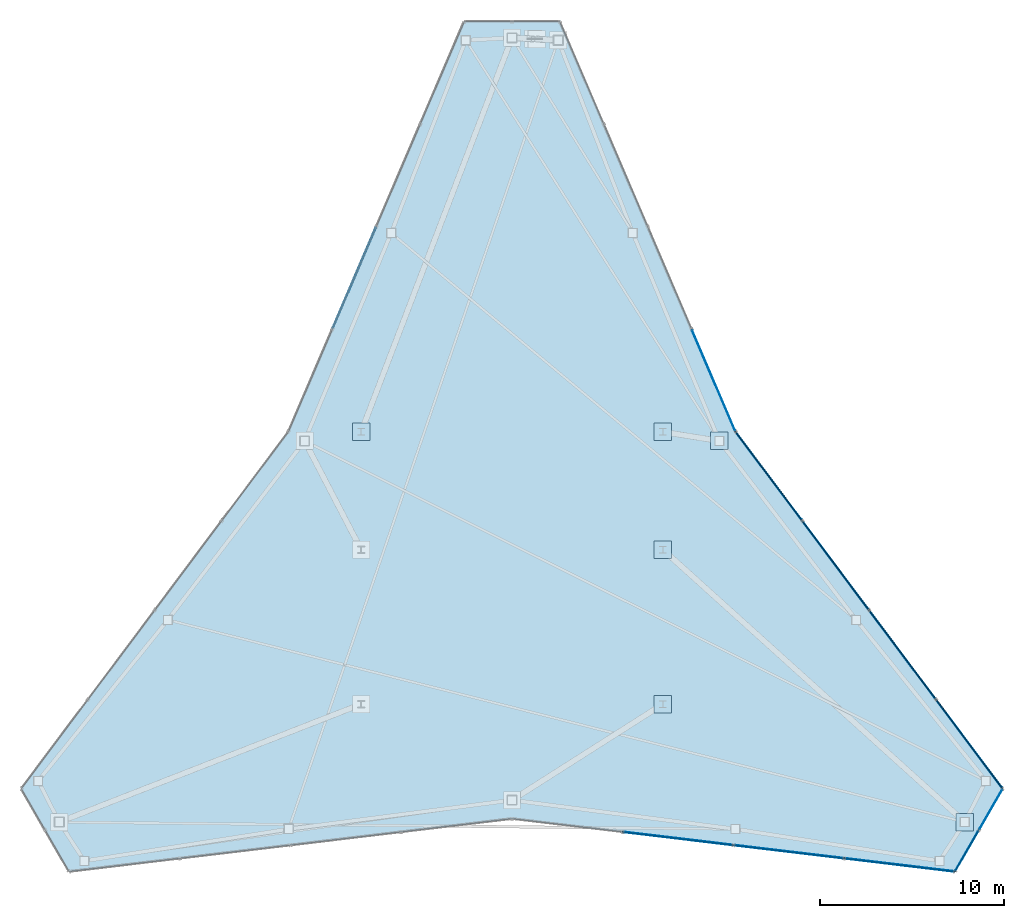
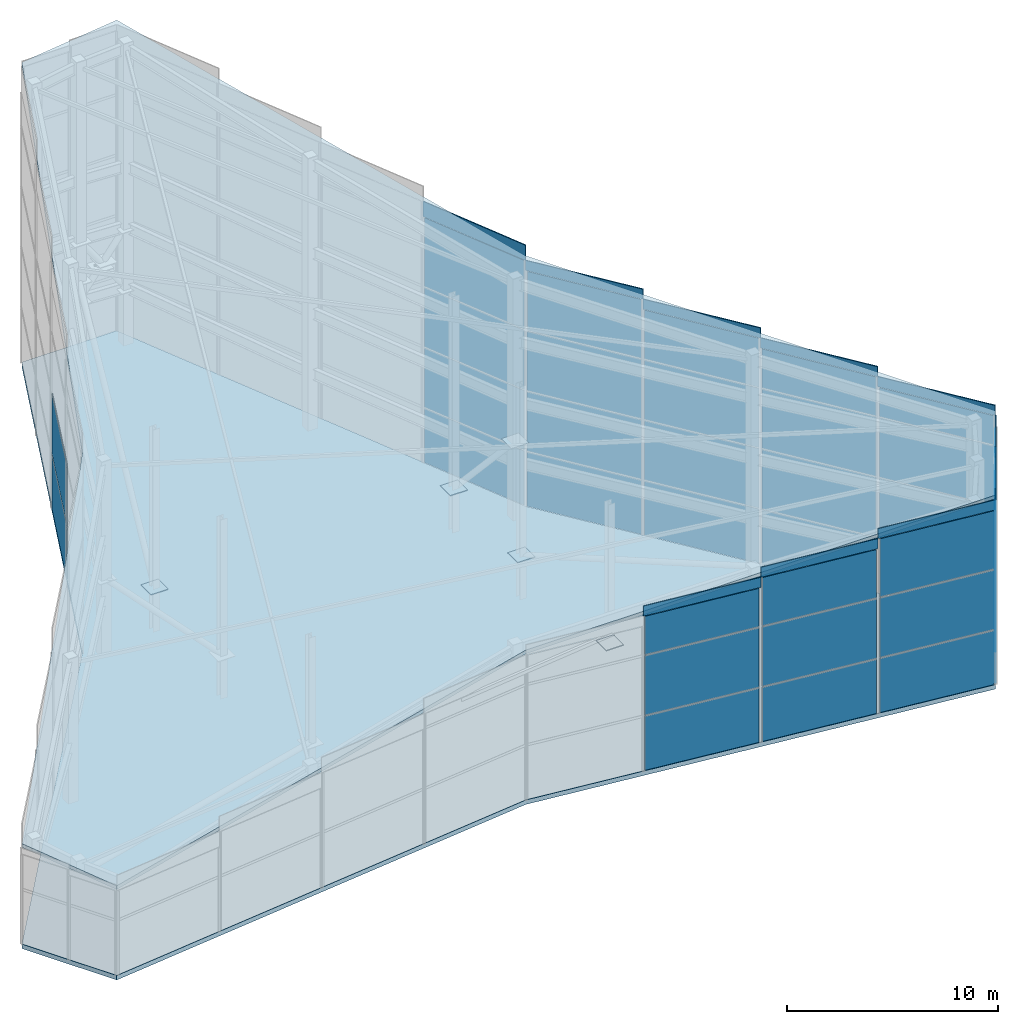
# One storey, part 15 of 17: 54 plates, 2 slabs, 11 elements without a shape of their own.
"""IFC4 building model written with IfcOpenShell, lengths in metres."""

from ifc_helpers import new_model, si_unit, direction, frame, origin, origin_2d, place, context, subcontext, project, spatial, polyline, rectangle, outline, extrude, source, transform, mapped, material, layer, layer_set, type_object, type_shapes, element, aggregate, save


model = new_model("IFC4")

# Units and contexts
model_context = context("Model", 3, precision=1e-05, world=origin(), true_north=direction((0.0, 1.0)))
body_context = subcontext(model_context, "Body", "Model", "MODEL_VIEW")
ifc_project = project(units=[si_unit("LENGTHUNIT", "METRE"), si_unit("AREAUNIT", "SQUARE_METRE"), si_unit("VOLUMEUNIT", "CUBIC_METRE"), si_unit("PLANEANGLEUNIT", "RADIAN"), si_unit("MASSUNIT", "GRAM", prefix="KILO")], contexts=[model_context])

# Site, building, storey
site_placement = place(None, origin())
site = spatial("IfcSite", under=ifc_project, at=site_placement, CompositionType="ELEMENT")
building_placement = place(site_placement, origin())
building = spatial("IfcBuilding", under=site, at=building_placement, Name="Varakhsha Concourse Tower", CompositionType="ELEMENT")
storey_placement = place(building_placement, frame((0.0, 0.0, 294.800048828125)))
storey = spatial("IfcBuildingStorey", under=building, at=storey_placement, Name="RF", CompositionType="ELEMENT", Elevation=294.800048828125)

# Slabs
ifc_material_1 = material(Name="Concrete fc 45 MPa", Category="concrete")
ifc_layer_1 = layer(ifc_material_1, 0.260009765625, Name="SL-ROOF-CRN-260")
ifc_layer_set_1 = layer_set([ifc_layer_1], Name="Concrete fc 45 MPa")
slab_type = type_object("IfcSlabType", Name="SL-ROOF-CRN-260", PredefinedType="ROOF", material=ifc_layer_set_1)
slab_1_placement = place(storey_placement, frame((0.0, 0.0, -0.260009765625)))
element("IfcSlab", 1, at=slab_1_placement, inside=storey, type_object=slab_type, Name="RF Crown Overrun Structural Deck", PredefinedType="ROOF", context=body_context, shape_type="SweptSolid", body=[
    extrude(outline(polyline([(42.60009765625, 53.49658203125), (37.39990234375, 53.49658203125), (27.852294921875, 31.21337890625), (13.328369140625, 11.80322265625), (15.92822265625, 7.300048828125), (40.0, 10.173095703125), (64.07177734375, 7.300048828125), (66.671630859375, 11.80322265625), (52.147705078125, 31.21337890625), (42.60009765625, 53.49658203125)])), origin(), (0.0, 0.0, 1.0), 0.260009765625),
])
slab_2_placement = place(storey_placement, frame((42.60009765625, 53.49658203125, 18.0), z_axis=(-0.116720813182, -0.20217251428, 0.972369542016), x_axis=(-0.992872387436, -1.843318e-06, -0.119182306837)))
element("IfcSlab", 2, at=slab_2_placement, inside=storey, type_object=slab_type, Name="Slanted Wave-Crest Crown Roof Slab", PredefinedType="ROOF", context=body_context, shape_type="SweptSolid", body=[
    extrude(outline(polyline([(0.0, 0.0), (5.237531985101822, 2.7755575615628914e-17), (15.405889671607623, 22.75301961172807), (30.51509115229072, 42.5724057492105), (28.008178336072838, 47.17054787039978), (3.6924031761940483, 44.23697839701544), (-20.48098858239461, 47.17063500562712), (-23.21112295030812, 42.57248111823715), (-9.063918780177461, 22.7530858696568), (0.0, 0.0)])), origin(), (0.0, 0.0, -1.0), 0.260009765625),
])

# Plates
ifc_material_2 = material(Name="Structural Steel ASTM A572 Grade 50", Category="steel")
ifc_layer_2 = layer(ifc_material_2, 0.030029296875, Name="PL-ENDCAP-950")
ifc_layer_set_2 = layer_set([ifc_layer_2], Name="Structural Steel ASTM A572 Grade 50")
plate_type_1 = type_object("IfcPlateType", Name="PL-ENDCAP-950", PredefinedType="USERDEFINED", material=ifc_layer_set_2)
shared_shape_1 = source(origin(), body_context, "Body", "SweptSolid", [
    extrude(rectangle(XDim=0.949951171875, YDim=0.949951171875, at=origin_2d()), origin(), (0.0, 0.0, 1.0), 0.030029296875),
])
type_shapes(plate_type_1, [shared_shape_1])
for number, where, z_axis, x_axis, name in (
    (3, (48.199951171875, 16.39990234375, 2.43505859375), (0.0, 0.0, 1.0), (1.0, 0.0, 0.0), "Hollow Section End Cap GP-NODE-RF-0876"),
    (4, (48.199951171875, 24.800048828125, 2.43505859375), (0.0, 0.0, 1.0), (1.0, 0.0, 0.0), "Hollow Section End Cap GP-NODE-RF-0878"),
    (5, (64.609619140625, 9.99169921875, 4.384765625), (0.0, 0.0, 1.0), (1.0, 0.0, 0.0), "Hollow Section End Cap GP-NODE-RF-0879"),
    (6, (48.199951171875, 31.199951171875, 2.43505859375), (0.0, 0.0, 1.0), (1.0, 0.0, 0.0), "Hollow Section End Cap GP-NODE-RF-0880"),
    (7, (51.271240234375, 30.70751953125, 4.384765625), (0.0, 0.0, 1.0), (1.0, 0.0, 0.0), "Hollow Section End Cap GP-NODE-RF-0881"),
    (8, (31.800048828125, 31.199951171875, 2.43505859375), (0.0, 0.0, 1.0), (1.0, 0.0, 0.0), "Hollow Section End Cap GP-NODE-RF-0882"),
):
    element("IfcPlate", number, at=place(storey_placement, frame(where, z_axis=z_axis, x_axis=x_axis)), inside=storey, type_object=plate_type_1, Name=name, ObjectType="END PLATE", PredefinedType="USERDEFINED", context=body_context, shape_type="MappedRepresentation", body=[
        mapped(shared_shape_1, transform((0.0, 0.0, 0.0), scale=1.0)),
    ])

# Curtain wall, plate
ifc_material_3 = material(Name="Anodised Bronze Architectural Aluminium AA 6063-T6", Category="aluminium")
ifc_layer_3 = layer(ifc_material_3, 0.219970703125, Name="CW-SYS-07")
ifc_layer_set_3 = layer_set([ifc_layer_3], Name="Anodised Bronze Architectural Aluminium AA 6063-T6")
curtain_wall_type = type_object("IfcCurtainWallType", Name="CW-SYS-07", PredefinedType="NOTDEFINED", material=ifc_layer_set_3)
curtain_wall_1_placement = place(storey_placement, origin())
curtain_wall_1 = element("IfcCurtainWall", 9, at=curtain_wall_1_placement, inside=storey, type_object=curtain_wall_type, Name="Slanted Crown Curtain Wall F7-S1", PredefinedType="NOTDEFINED")
ifc_material_4 = material(Name="Insulated Anodised Bronze Aluminium Spandrel 36 mm", Category="aluminium")
ifc_layer_4 = layer(ifc_material_4, 0.035888671875, Name="CWP-SPN-36")
ifc_layer_set_4 = layer_set([ifc_layer_4], Name="Insulated Anodised Bronze Aluminium Spandrel 36 mm")
plate_type_2 = type_object("IfcPlateType", Name="CWP-SPN-36", PredefinedType="USERDEFINED", material=ifc_layer_set_4)
shared_shape_2 = source(origin(), body_context, "Body", "SweptSolid", [
    extrude(rectangle(XDim=2.430908203125, YDim=0.035888671875, at=origin_2d()), origin(), (0.0, 0.0, 1.0), 3.135986328125),
])
plate_1_placement = place(storey_placement, frame((64.7216796875, 8.42578125, 0.03173828125), z_axis=(0.0, 0.0, 1.0), x_axis=(-0.49999395399, -0.866028894422, 0.0)))
plate_1 = element("IfcPlate", 10, at=plate_1_placement, type_object=plate_type_2, Name="CW-RF-F7S1 Panel 00-00", ObjectType="SPANDREL", PredefinedType="USERDEFINED", context=body_context, shape_type="MappedRepresentation", body=[
    mapped(shared_shape_2, transform((0.0, 0.0, 0.0), scale=1.0)),
])

curtain_wall_2_placement = place(storey_placement, origin())
curtain_wall_2 = element("IfcCurtainWall", 11, at=curtain_wall_2_placement, inside=storey, type_object=curtain_wall_type, Name="Slanted Crown Curtain Wall F7-S2", PredefinedType="NOTDEFINED")
plate_2_placement = place(storey_placement, frame((66.021728515625, 10.677490234375, 0.03173828125), z_axis=(0.0, 0.0, 1.0), x_axis=(-0.500010580459, -0.866019295067, 0.0)))
plate_2 = element("IfcPlate", 12, at=plate_2_placement, type_object=plate_type_2, Name="CW-RF-F7S2 Panel 00-00", ObjectType="SPANDREL", PredefinedType="USERDEFINED", context=body_context, shape_type="MappedRepresentation", body=[
    mapped(shared_shape_2, transform((0.0, 0.0, 0.0), scale=1.0)),
])

# Plate
shared_shape_3 = source(origin(), body_context, "Body", "SweptSolid", [
    extrude(rectangle(XDim=2.430908203125, YDim=0.035888671875, at=origin_2d()), origin(), (0.0, 0.0, 1.0), 3.43603515625),
])
plate_3_placement = place(storey_placement, frame((64.7216796875, 8.42578125, 3.23193359375), z_axis=(0.0, 0.0, 1.0), x_axis=(-0.49999395399, -0.866028894422, 0.0)))
plate_3 = element("IfcPlate", 13, at=plate_3_placement, type_object=plate_type_2, Name="CW-RF-F7S1 Panel 00-01", ObjectType="SPANDREL", PredefinedType="USERDEFINED", context=body_context, shape_type="MappedRepresentation", body=[
    mapped(shared_shape_3, transform((0.0, 0.0, 0.0), scale=1.0)),
])

plate_4_placement = place(storey_placement, frame((66.021728515625, 10.677490234375, 3.23193359375), z_axis=(0.0, 0.0, 1.0), x_axis=(-0.500010580459, -0.866019295067, 0.0)))
plate_4 = element("IfcPlate", 14, at=plate_4_placement, type_object=plate_type_2, Name="CW-RF-F7S2 Panel 00-01", ObjectType="SPANDREL", PredefinedType="USERDEFINED", context=body_context, shape_type="MappedRepresentation", body=[
    mapped(shared_shape_3, transform((0.0, 0.0, 0.0), scale=1.0)),
])

plate_5_placement = place(storey_placement, frame((66.021728515625, 10.677490234375, 6.73193359375), z_axis=(0.0, 0.0, 1.0), x_axis=(-0.500010580459, -0.866019295067, 0.0)))
plate_5 = element("IfcPlate", 15, at=plate_5_placement, type_object=plate_type_2, Name="CW-RF-F7S2 Panel 00-02", ObjectType="SPANDREL", PredefinedType="USERDEFINED", context=body_context, shape_type="MappedRepresentation", body=[
    mapped(shared_shape_3, transform((0.0, 0.0, 0.0), scale=1.0)),
])

# Curtain wall, plate
curtain_wall_3_placement = place(storey_placement, origin())
curtain_wall_3 = element("IfcCurtainWall", 16, at=curtain_wall_3_placement, inside=storey, type_object=curtain_wall_type, Name="Slanted Crown Curtain Wall F2-S3", PredefinedType="NOTDEFINED")
ifc_material_5 = material(Name="Low-E Triple Insulating Glass IGU 44 mm", Category="glass")
ifc_layer_5 = layer(ifc_material_5, 0.0439453125, Name="CWP-IGU-44")
ifc_layer_set_5 = layer_set([ifc_layer_5], Name="Low-E Triple Insulating Glass IGU 44 mm")
plate_type_3 = type_object("IfcPlateType", Name="CWP-IGU-44", PredefinedType="CURTAIN_PANEL", material=ifc_layer_set_5)
shared_shape_4 = source(origin(), body_context, "Body", "SweptSolid", [
    extrude(rectangle(XDim=5.8916015625, YDim=0.0439453125, at=origin_2d()), origin(), (0.0, 0.0, 1.0), 3.135986328125),
])
plate_6_placement = place(storey_placement, frame((31.4326171875, 39.569580078125, 0.03173828125), z_axis=(0.0, 0.0, 1.0), x_axis=(0.393840843001, 0.919178649874, 0.0)))
plate_6 = element("IfcPlate", 17, at=plate_6_placement, type_object=plate_type_3, Name="CW-RF-F2S3 Panel 00-00", PredefinedType="CURTAIN_PANEL", context=body_context, shape_type="MappedRepresentation", body=[
    mapped(shared_shape_4, transform((0.0, 0.0, 0.0), scale=1.0)),
])

curtain_wall_4_placement = place(storey_placement, origin())
curtain_wall_4 = element("IfcCurtainWall", 18, at=curtain_wall_4_placement, inside=storey, type_object=curtain_wall_type, Name="Slanted Crown Curtain Wall F6-S3", PredefinedType="NOTDEFINED")
plate_7_placement = place(storey_placement, frame((55.044921875, 8.37744140625, 0.03173828125), z_axis=(0.0, 0.0, 1.0), x_axis=(-0.992952896591, 0.118509683792, 0.0)))
plate_7 = element("IfcPlate", 19, at=plate_7_placement, type_object=plate_type_3, Name="CW-RF-F6S3 Panel 00-00", PredefinedType="CURTAIN_PANEL", context=body_context, shape_type="MappedRepresentation", body=[
    mapped(shared_shape_4, transform((0.0, 0.0, 0.0), scale=1.0)),
])

curtain_wall_5_placement = place(storey_placement, origin())
curtain_wall_5 = element("IfcCurtainWall", 20, at=curtain_wall_5_placement, inside=storey, type_object=curtain_wall_type, Name="Slanted Crown Curtain Wall F6-S4", PredefinedType="NOTDEFINED")
plate_8_placement = place(storey_placement, frame((61.062744140625, 7.6591796875, 0.03173828125), z_axis=(0.0, 0.0, 1.0), x_axis=(-0.992951034922, 0.118525281045, 0.0)))
plate_8 = element("IfcPlate", 21, at=plate_8_placement, type_object=plate_type_3, Name="CW-RF-F6S4 Panel 00-00", PredefinedType="CURTAIN_PANEL", context=body_context, shape_type="MappedRepresentation", body=[
    mapped(shared_shape_4, transform((0.0, 0.0, 0.0), scale=1.0)),
])

curtain_wall_6_placement = place(storey_placement, origin())
curtain_wall_6 = element("IfcCurtainWall", 22, at=curtain_wall_6_placement, inside=storey, type_object=curtain_wall_type, Name="Slanted Crown Curtain Wall F8-S1", PredefinedType="NOTDEFINED")
plate_9_placement = place(storey_placement, frame((64.856201171875, 14.2294921875, 0.03173828125), z_axis=(0.0, 0.0, 1.0), x_axis=(0.599092075779, -0.800680138844, 0.0)))
plate_9 = element("IfcPlate", 23, at=plate_9_placement, type_object=plate_type_3, Name="CW-RF-F8S1 Panel 00-00", PredefinedType="CURTAIN_PANEL", context=body_context, shape_type="MappedRepresentation", body=[
    mapped(shared_shape_4, transform((0.0, 0.0, 0.0), scale=1.0)),
])

curtain_wall_7_placement = place(storey_placement, origin())
curtain_wall_7 = element("IfcCurtainWall", 24, at=curtain_wall_7_placement, inside=storey, type_object=curtain_wall_type, Name="Slanted Crown Curtain Wall F8-S2", PredefinedType="NOTDEFINED")
plate_10_placement = place(storey_placement, frame((61.22509765625, 19.08203125, 0.03173828125), z_axis=(0.0, 0.0, 1.0), x_axis=(0.599100460449, -0.800673865122, 0.0)))
plate_10 = element("IfcPlate", 25, at=plate_10_placement, type_object=plate_type_3, Name="CW-RF-F8S2 Panel 00-00", PredefinedType="CURTAIN_PANEL", context=body_context, shape_type="MappedRepresentation", body=[
    mapped(shared_shape_4, transform((0.0, 0.0, 0.0), scale=1.0)),
])

curtain_wall_8_placement = place(storey_placement, origin())
curtain_wall_8 = element("IfcCurtainWall", 26, at=curtain_wall_8_placement, inside=storey, type_object=curtain_wall_type, Name="Slanted Crown Curtain Wall F8-S3", PredefinedType="NOTDEFINED")
plate_11_placement = place(storey_placement, frame((57.59423828125, 23.934814453125, 0.03173828125), z_axis=(0.0, 0.0, 1.0), x_axis=(0.599100460449, -0.800673865122, 0.0)))
plate_11 = element("IfcPlate", 27, at=plate_11_placement, type_object=plate_type_3, Name="CW-RF-F8S3 Panel 00-00", PredefinedType="CURTAIN_PANEL", context=body_context, shape_type="MappedRepresentation", body=[
    mapped(shared_shape_4, transform((0.0, 0.0, 0.0), scale=1.0)),
])

curtain_wall_9_placement = place(storey_placement, origin())
curtain_wall_9 = element("IfcCurtainWall", 28, at=curtain_wall_9_placement, inside=storey, type_object=curtain_wall_type, Name="Slanted Crown Curtain Wall F8-S4", PredefinedType="NOTDEFINED")
plate_12_placement = place(storey_placement, frame((53.963134765625, 28.787109375, 0.03173828125), z_axis=(0.0, 0.0, 1.0), x_axis=(0.599092075779, -0.800680138844, 0.0)))
plate_12 = element("IfcPlate", 29, at=plate_12_placement, type_object=plate_type_3, Name="CW-RF-F8S4 Panel 00-00", PredefinedType="CURTAIN_PANEL", context=body_context, shape_type="MappedRepresentation", body=[
    mapped(shared_shape_4, transform((0.0, 0.0, 0.0), scale=1.0)),
])

# Plate
shared_shape_5 = source(origin(), body_context, "Body", "SweptSolid", [
    extrude(rectangle(XDim=5.8916015625, YDim=0.0439453125, at=origin_2d()), origin(), (0.0, 0.0, 1.0), 3.43603515625),
])
plate_13_placement = place(storey_placement, frame((31.4326171875, 39.569580078125, 3.23193359375), z_axis=(0.0, 0.0, 1.0), x_axis=(0.393840843001, 0.919178649874, 0.0)))
plate_13 = element("IfcPlate", 30, at=plate_13_placement, type_object=plate_type_3, Name="CW-RF-F2S3 Panel 00-01", PredefinedType="CURTAIN_PANEL", context=body_context, shape_type="MappedRepresentation", body=[
    mapped(shared_shape_5, transform((0.0, 0.0, 0.0), scale=1.0)),
])

aggregate(curtain_wall_3, [plate_6, plate_13])

plate_14_placement = place(storey_placement, frame((55.044921875, 8.37744140625, 3.23193359375), z_axis=(0.0, 0.0, 1.0), x_axis=(-0.992952896591, 0.118509683792, 0.0)))
plate_14 = element("IfcPlate", 31, at=plate_14_placement, type_object=plate_type_3, Name="CW-RF-F6S3 Panel 00-01", PredefinedType="CURTAIN_PANEL", context=body_context, shape_type="MappedRepresentation", body=[
    mapped(shared_shape_5, transform((0.0, 0.0, 0.0), scale=1.0)),
])

plate_15_placement = place(storey_placement, frame((61.062744140625, 7.6591796875, 3.23193359375), z_axis=(0.0, 0.0, 1.0), x_axis=(-0.992951034922, 0.118525281045, 0.0)))
plate_15 = element("IfcPlate", 32, at=plate_15_placement, type_object=plate_type_3, Name="CW-RF-F6S4 Panel 00-01", PredefinedType="CURTAIN_PANEL", context=body_context, shape_type="MappedRepresentation", body=[
    mapped(shared_shape_5, transform((0.0, 0.0, 0.0), scale=1.0)),
])

plate_16_placement = place(storey_placement, frame((64.856201171875, 14.2294921875, 3.23193359375), z_axis=(0.0, 0.0, 1.0), x_axis=(0.599092075779, -0.800680138844, 0.0)))
plate_16 = element("IfcPlate", 33, at=plate_16_placement, type_object=plate_type_3, Name="CW-RF-F8S1 Panel 00-01", PredefinedType="CURTAIN_PANEL", context=body_context, shape_type="MappedRepresentation", body=[
    mapped(shared_shape_5, transform((0.0, 0.0, 0.0), scale=1.0)),
])

plate_17_placement = place(storey_placement, frame((64.856201171875, 14.2294921875, 6.73193359375), z_axis=(0.0, 0.0, 1.0), x_axis=(0.599092075779, -0.800680138844, 0.0)))
plate_17 = element("IfcPlate", 34, at=plate_17_placement, type_object=plate_type_3, Name="CW-RF-F8S1 Panel 00-02", PredefinedType="CURTAIN_PANEL", context=body_context, shape_type="MappedRepresentation", body=[
    mapped(shared_shape_5, transform((0.0, 0.0, 0.0), scale=1.0)),
])

plate_18_placement = place(storey_placement, frame((61.22509765625, 19.08203125, 3.23193359375), z_axis=(0.0, 0.0, 1.0), x_axis=(0.599100460449, -0.800673865122, 0.0)))
plate_18 = element("IfcPlate", 35, at=plate_18_placement, type_object=plate_type_3, Name="CW-RF-F8S2 Panel 00-01", PredefinedType="CURTAIN_PANEL", context=body_context, shape_type="MappedRepresentation", body=[
    mapped(shared_shape_5, transform((0.0, 0.0, 0.0), scale=1.0)),
])

plate_19_placement = place(storey_placement, frame((61.22509765625, 19.08203125, 6.73193359375), z_axis=(0.0, 0.0, 1.0), x_axis=(0.599100460449, -0.800673865122, 0.0)))
plate_19 = element("IfcPlate", 36, at=plate_19_placement, type_object=plate_type_3, Name="CW-RF-F8S2 Panel 00-02", PredefinedType="CURTAIN_PANEL", context=body_context, shape_type="MappedRepresentation", body=[
    mapped(shared_shape_5, transform((0.0, 0.0, 0.0), scale=1.0)),
])

plate_20_placement = place(storey_placement, frame((57.59423828125, 23.934814453125, 3.23193359375), z_axis=(0.0, 0.0, 1.0), x_axis=(0.599100460449, -0.800673865122, 0.0)))
plate_20 = element("IfcPlate", 37, at=plate_20_placement, type_object=plate_type_3, Name="CW-RF-F8S3 Panel 00-01", PredefinedType="CURTAIN_PANEL", context=body_context, shape_type="MappedRepresentation", body=[
    mapped(shared_shape_5, transform((0.0, 0.0, 0.0), scale=1.0)),
])

plate_21_placement = place(storey_placement, frame((57.59423828125, 23.934814453125, 6.73193359375), z_axis=(0.0, 0.0, 1.0), x_axis=(0.599100460449, -0.800673865122, 0.0)))
plate_21 = element("IfcPlate", 38, at=plate_21_placement, type_object=plate_type_3, Name="CW-RF-F8S3 Panel 00-02", PredefinedType="CURTAIN_PANEL", context=body_context, shape_type="MappedRepresentation", body=[
    mapped(shared_shape_5, transform((0.0, 0.0, 0.0), scale=1.0)),
])

plate_22_placement = place(storey_placement, frame((53.963134765625, 28.787109375, 3.23193359375), z_axis=(0.0, 0.0, 1.0), x_axis=(0.599092075779, -0.800680138844, 0.0)))
plate_22 = element("IfcPlate", 39, at=plate_22_placement, type_object=plate_type_3, Name="CW-RF-F8S4 Panel 00-01", PredefinedType="CURTAIN_PANEL", context=body_context, shape_type="MappedRepresentation", body=[
    mapped(shared_shape_5, transform((0.0, 0.0, 0.0), scale=1.0)),
])

plate_23_placement = place(storey_placement, frame((53.963134765625, 28.787109375, 6.73193359375), z_axis=(0.0, 0.0, 1.0), x_axis=(0.599092075779, -0.800680138844, 0.0)))
plate_23 = element("IfcPlate", 40, at=plate_23_placement, type_object=plate_type_3, Name="CW-RF-F8S4 Panel 00-02", PredefinedType="CURTAIN_PANEL", context=body_context, shape_type="MappedRepresentation", body=[
    mapped(shared_shape_5, transform((0.0, 0.0, 0.0), scale=1.0)),
])

# Curtain wall, plates
curtain_wall_10_placement = place(storey_placement, origin())
curtain_wall_10 = element("IfcCurtainWall", 41, at=curtain_wall_10_placement, inside=storey, type_object=curtain_wall_type, Name="Slanted Crown Curtain Wall F9-S1", PredefinedType="NOTDEFINED")
shared_shape_6 = source(origin(), body_context, "Body", "SweptSolid", [
    extrude(rectangle(XDim=5.8916015625, YDim=0.035888671875, at=origin_2d()), origin(), (0.0, 0.0, 1.0), 3.135986328125),
])
plate_24_placement = place(storey_placement, frame((50.954345703125, 33.998779296875, 0.03173828125), z_axis=(0.0, 0.0, 1.0), x_axis=(0.393840843001, -0.919178649874, 0.0)))
plate_24 = element("IfcPlate", 42, at=plate_24_placement, type_object=plate_type_2, Name="CW-RF-F9S1 Panel 00-00", ObjectType="SPANDREL", PredefinedType="USERDEFINED", context=body_context, shape_type="MappedRepresentation", body=[
    mapped(shared_shape_6, transform((0.0, 0.0, 0.0), scale=1.0)),
])
shared_shape_7 = source(origin(), body_context, "Body", "SweptSolid", [
    extrude(rectangle(XDim=5.8916015625, YDim=0.035888671875, at=origin_2d()), origin(), (0.0, 0.0, 1.0), 3.43603515625),
])
plate_25_placement = place(storey_placement, frame((50.954345703125, 33.998779296875, 3.23193359375), z_axis=(0.0, 0.0, 1.0), x_axis=(0.393840843001, -0.919178649874, 0.0)))
plate_25 = element("IfcPlate", 43, at=plate_25_placement, type_object=plate_type_2, Name="CW-RF-F9S1 Panel 00-01", ObjectType="SPANDREL", PredefinedType="USERDEFINED", context=body_context, shape_type="MappedRepresentation", body=[
    mapped(shared_shape_7, transform((0.0, 0.0, 0.0), scale=1.0)),
])
plate_26_placement = place(storey_placement, frame((50.954345703125, 33.998779296875, 6.73193359375), z_axis=(0.0, 0.0, 1.0), x_axis=(0.393840843001, -0.919178649874, 0.0)))
plate_26 = element("IfcPlate", 44, at=plate_26_placement, type_object=plate_type_2, Name="CW-RF-F9S1 Panel 00-02", ObjectType="SPANDREL", PredefinedType="USERDEFINED", context=body_context, shape_type="MappedRepresentation", body=[
    mapped(shared_shape_7, transform((0.0, 0.0, 0.0), scale=1.0)),
])

# Plate
shared_shape_8 = source(origin(), body_context, "Body", "SweptSolid", [
    extrude(rectangle(XDim=6.060546875, YDim=0.06005859375, at=origin_2d()), origin(), (0.0, 0.0, 1.0), 0.879638671875),
])
plate_27_placement = place(storey_placement, frame((50.954345703125, 33.998779296875, 14.25537109375), z_axis=(0.0, 0.0, 1.0), x_axis=(0.393845655803, -0.919176587716, 0.0)))
element("IfcPlate", 45, at=plate_27_placement, inside=storey, type_object=plate_type_2, Name="Crown Sloped Fascia Wedge Closure F9-S1", ObjectType="SPANDREL", PredefinedType="USERDEFINED", context=body_context, shape_type="MappedRepresentation", body=[
    mapped(shared_shape_8, transform((0.0, 0.0, 0.0), scale=1.0)),
])

# Curtain wall, plate
curtain_wall_11_placement = place(storey_placement, origin())
curtain_wall_11 = element("IfcCurtainWall", 46, at=curtain_wall_11_placement, inside=storey, type_object=curtain_wall_type, Name="Slanted Crown Curtain Wall F6-S2", PredefinedType="NOTDEFINED")
shared_shape_9 = source(origin(), body_context, "Body", "SweptSolid", [
    extrude(rectangle(XDim=5.891845703125, YDim=0.0439453125, at=origin_2d()), origin(), (0.0, 0.0, 1.0), 3.135986328125),
])
plate_28_placement = place(storey_placement, frame((49.02685546875, 9.095703125, 0.03173828125), z_axis=(0.0, 0.0, 1.0), x_axis=(-0.992951241786, 0.118523548018, 0.0)))
plate_28 = element("IfcPlate", 47, at=plate_28_placement, type_object=plate_type_3, Name="CW-RF-F6S2 Panel 00-00", PredefinedType="CURTAIN_PANEL", context=body_context, shape_type="MappedRepresentation", body=[
    mapped(shared_shape_9, transform((0.0, 0.0, 0.0), scale=1.0)),
])

# Plates
shared_shape_10 = source(origin(), body_context, "Body", "SweptSolid", [
    extrude(rectangle(XDim=6.060546875, YDim=0.06005859375, at=origin_2d()), origin(), (0.0, 0.0, 1.0), 0.5810546875),
])
for number, where, z_axis, x_axis, name in (
    (48, (55.044921875, 8.37744140625, 9.568359375), (0.0, 0.0, 1.0), (-0.992953103427, 0.118507950762, 0.0), "Crown Sloped Fascia Wedge Closure F6-S3"),
    (49, (61.062744140625, 7.6591796875, 10.141357421875), (0.0, 0.0, 1.0), (-0.992951034922, 0.118525281045, 0.0), "Crown Sloped Fascia Wedge Closure F6-S4"),
    (50, (61.22509765625, 19.08203125, 12.535888671875), (0.0, 0.0, 1.0), (0.599121421837, -0.800658180434, 0.0), "Crown Sloped Fascia Wedge Closure F8-S2"),
    (51, (57.59423828125, 23.934814453125, 13.10888671875), (0.0, 0.0, 1.0), (0.599121421837, -0.800658180434, 0.0), "Crown Sloped Fascia Wedge Closure F8-S3"),
):
    element("IfcPlate", number, at=place(storey_placement, frame(where, z_axis=z_axis, x_axis=x_axis)), inside=storey, type_object=plate_type_2, Name=name, ObjectType="SPANDREL", PredefinedType="USERDEFINED", context=body_context, shape_type="MappedRepresentation", body=[
        mapped(shared_shape_10, transform((0.0, 0.0, 0.0), scale=1.0)),
    ])

# Plate
shared_shape_11 = source(origin(), body_context, "Body", "SweptSolid", [
    extrude(rectangle(XDim=5.891845703125, YDim=0.0439453125, at=origin_2d()), origin(), (0.0, 0.0, 1.0), 3.43603515625),
])
type_shapes(plate_type_3, [shared_shape_4, shared_shape_5, shared_shape_9, shared_shape_11])
plate_29_placement = place(storey_placement, frame((49.02685546875, 9.095703125, 3.23193359375), z_axis=(0.0, 0.0, 1.0), x_axis=(-0.992951241786, 0.118523548018, 0.0)))
plate_29 = element("IfcPlate", 52, at=plate_29_placement, type_object=plate_type_3, Name="CW-RF-F6S2 Panel 00-01", PredefinedType="CURTAIN_PANEL", context=body_context, shape_type="MappedRepresentation", body=[
    mapped(shared_shape_11, transform((0.0, 0.0, 0.0), scale=1.0)),
])

shared_shape_12 = source(origin(), body_context, "Body", "SweptSolid", [
    extrude(rectangle(XDim=5.891845703125, YDim=0.035888671875, at=origin_2d()), origin(), (0.0, 0.0, 1.0), 2.21923828125),
])
plate_30_placement = place(storey_placement, frame((49.02685546875, 9.095703125, 6.73193359375), z_axis=(0.0, 0.0, 1.0), x_axis=(-0.992951241786, 0.118523548018, 0.0)))
plate_30 = element("IfcPlate", 53, at=plate_30_placement, type_object=plate_type_2, Name="CW-RF-F6S2 Panel 00-02", ObjectType="SPANDREL", PredefinedType="USERDEFINED", context=body_context, shape_type="MappedRepresentation", body=[
    mapped(shared_shape_12, transform((0.0, 0.0, 0.0), scale=1.0)),
])

aggregate(curtain_wall_11, [plate_28, plate_29, plate_30])

# Plates
shared_shape_13 = source(origin(), body_context, "Body", "SweptSolid", [
    extrude(rectangle(XDim=6.060791015625, YDim=0.06005859375, at=origin_2d()), origin(), (0.0, 0.0, 1.0), 0.5810546875),
])
for number, where, z_axis, x_axis, name in (
    (54, (49.02685546875, 9.095703125, 8.9951171875), (0.0, 0.0, 1.0), (-0.992951034922, 0.118525281045, 0.0), "Crown Sloped Fascia Wedge Closure F6-S2"),
    (55, (64.856201171875, 14.2294921875, 11.962890625), (0.0, 0.0, 1.0), (0.599107447624, -0.800668636954, 0.0), "Crown Sloped Fascia Wedge Closure F8-S1"),
    (56, (53.963134765625, 28.787109375, 13.68212890625), (0.0, 0.0, 1.0), (0.599107447624, -0.800668636954, 0.0), "Crown Sloped Fascia Wedge Closure F8-S4"),
):
    element("IfcPlate", number, at=place(storey_placement, frame(where, z_axis=z_axis, x_axis=x_axis)), inside=storey, type_object=plate_type_2, Name=name, ObjectType="SPANDREL", PredefinedType="USERDEFINED", context=body_context, shape_type="MappedRepresentation", body=[
        mapped(shared_shape_13, transform((0.0, 0.0, 0.0), scale=1.0)),
    ])

# Plate
shared_shape_14 = source(origin(), body_context, "Body", "SweptSolid", [
    extrude(rectangle(XDim=5.8916015625, YDim=0.035888671875, at=origin_2d()), origin(), (0.0, 0.0, 1.0), 2.79248046875),
])
plate_31_placement = place(storey_placement, frame((55.044921875, 8.37744140625, 6.73193359375), z_axis=(0.0, 0.0, 1.0), x_axis=(-0.992952896591, 0.118509683792, 0.0)))
plate_31 = element("IfcPlate", 57, at=plate_31_placement, type_object=plate_type_2, Name="CW-RF-F6S3 Panel 00-02", ObjectType="SPANDREL", PredefinedType="USERDEFINED", context=body_context, shape_type="MappedRepresentation", body=[
    mapped(shared_shape_14, transform((0.0, 0.0, 0.0), scale=1.0)),
])

aggregate(curtain_wall_4, [plate_7, plate_14, plate_31])

shared_shape_15 = source(origin(), body_context, "Body", "SweptSolid", [
    extrude(rectangle(XDim=5.8916015625, YDim=0.035888671875, at=origin_2d()), origin(), (0.0, 0.0, 1.0), 3.365478515625),
])
plate_32_placement = place(storey_placement, frame((61.062744140625, 7.6591796875, 6.73193359375), z_axis=(0.0, 0.0, 1.0), x_axis=(-0.992951034922, 0.118525281045, 0.0)))
plate_32 = element("IfcPlate", 58, at=plate_32_placement, type_object=plate_type_2, Name="CW-RF-F6S4 Panel 00-02", ObjectType="SPANDREL", PredefinedType="USERDEFINED", context=body_context, shape_type="MappedRepresentation", body=[
    mapped(shared_shape_15, transform((0.0, 0.0, 0.0), scale=1.0)),
])

aggregate(curtain_wall_5, [plate_8, plate_15, plate_32])

shared_shape_16 = source(origin(), body_context, "Body", "SweptSolid", [
    extrude(rectangle(XDim=2.430908203125, YDim=0.035888671875, at=origin_2d()), origin(), (0.0, 0.0, 1.0), 3.9384765625),
])
plate_33_placement = place(storey_placement, frame((64.7216796875, 8.42578125, 6.73193359375), z_axis=(0.0, 0.0, 1.0), x_axis=(-0.49999395399, -0.866028894422, 0.0)))
plate_33 = element("IfcPlate", 59, at=plate_33_placement, type_object=plate_type_2, Name="CW-RF-F7S1 Panel 00-02", ObjectType="SPANDREL", PredefinedType="USERDEFINED", context=body_context, shape_type="MappedRepresentation", body=[
    mapped(shared_shape_16, transform((0.0, 0.0, 0.0), scale=1.0)),
])

aggregate(curtain_wall_1, [plate_1, plate_3, plate_33])

shared_shape_17 = source(origin(), body_context, "Body", "SweptSolid", [
    extrude(rectangle(XDim=2.60009765625, YDim=0.06005859375, at=origin_2d()), origin(), (0.0, 0.0, 1.0), 0.632080078125),
])
plate_34_placement = place(storey_placement, frame((64.7216796875, 8.42578125, 10.71435546875), z_axis=(0.0, 0.0, 1.0), x_axis=(-0.5, -0.866025403784, 0.0)))
element("IfcPlate", 60, at=plate_34_placement, inside=storey, type_object=plate_type_2, Name="Crown Sloped Fascia Wedge Closure F7-S1", ObjectType="SPANDREL", PredefinedType="USERDEFINED", context=body_context, shape_type="MappedRepresentation", body=[
    mapped(shared_shape_17, transform((0.0, 0.0, 0.0), scale=1.0)),
])

shared_shape_18 = source(origin(), body_context, "Body", "SweptSolid", [
    extrude(rectangle(XDim=2.430908203125, YDim=0.035888671875, at=origin_2d()), origin(), (0.0, 0.0, 1.0), 1.062744140625),
])
plate_35_placement = place(storey_placement, frame((66.021728515625, 10.677490234375, 10.23193359375), z_axis=(0.0, 0.0, 1.0), x_axis=(-0.500010580459, -0.866019295067, 0.0)))
plate_35 = element("IfcPlate", 61, at=plate_35_placement, type_object=plate_type_2, Name="CW-RF-F7S2 Panel 00-03", ObjectType="SPANDREL", PredefinedType="USERDEFINED", context=body_context, shape_type="MappedRepresentation", body=[
    mapped(shared_shape_18, transform((0.0, 0.0, 0.0), scale=1.0)),
])

aggregate(curtain_wall_2, [plate_2, plate_4, plate_5, plate_35])

shared_shape_19 = source(origin(), body_context, "Body", "SweptSolid", [
    extrude(rectangle(XDim=2.599853515625, YDim=0.06005859375, at=origin_2d()), origin(), (0.0, 0.0, 1.0), 0.632080078125),
])
plate_36_placement = place(storey_placement, frame((66.021728515625, 10.677490234375, 11.3388671875), z_axis=(0.0, 0.0, 1.0), x_axis=(-0.500015114919, -0.866016677006, 0.0)))
element("IfcPlate", 62, at=plate_36_placement, inside=storey, type_object=plate_type_2, Name="Crown Sloped Fascia Wedge Closure F7-S2", ObjectType="SPANDREL", PredefinedType="USERDEFINED", context=body_context, shape_type="MappedRepresentation", body=[
    mapped(shared_shape_19, transform((0.0, 0.0, 0.0), scale=1.0)),
])

shared_shape_20 = source(origin(), body_context, "Body", "SweptSolid", [
    extrude(rectangle(XDim=5.8916015625, YDim=0.035888671875, at=origin_2d()), origin(), (0.0, 0.0, 1.0), 1.68701171875),
])
plate_37_placement = place(storey_placement, frame((64.856201171875, 14.2294921875, 10.23193359375), z_axis=(0.0, 0.0, 1.0), x_axis=(0.599092075779, -0.800680138844, 0.0)))
plate_37 = element("IfcPlate", 63, at=plate_37_placement, type_object=plate_type_2, Name="CW-RF-F8S1 Panel 00-03", ObjectType="SPANDREL", PredefinedType="USERDEFINED", context=body_context, shape_type="MappedRepresentation", body=[
    mapped(shared_shape_20, transform((0.0, 0.0, 0.0), scale=1.0)),
])

aggregate(curtain_wall_6, [plate_9, plate_16, plate_17, plate_37])

shared_shape_21 = source(origin(), body_context, "Body", "SweptSolid", [
    extrude(rectangle(XDim=5.8916015625, YDim=0.035888671875, at=origin_2d()), origin(), (0.0, 0.0, 1.0), 2.260009765625),
])
plate_38_placement = place(storey_placement, frame((61.22509765625, 19.08203125, 10.23193359375), z_axis=(0.0, 0.0, 1.0), x_axis=(0.599100460449, -0.800673865122, 0.0)))
plate_38 = element("IfcPlate", 64, at=plate_38_placement, type_object=plate_type_2, Name="CW-RF-F8S2 Panel 00-03", ObjectType="SPANDREL", PredefinedType="USERDEFINED", context=body_context, shape_type="MappedRepresentation", body=[
    mapped(shared_shape_21, transform((0.0, 0.0, 0.0), scale=1.0)),
])

aggregate(curtain_wall_7, [plate_10, plate_18, plate_19, plate_38])

shared_shape_22 = source(origin(), body_context, "Body", "SweptSolid", [
    extrude(rectangle(XDim=5.8916015625, YDim=0.035888671875, at=origin_2d()), origin(), (0.0, 0.0, 1.0), 2.8330078125),
])
plate_39_placement = place(storey_placement, frame((57.59423828125, 23.934814453125, 10.23193359375), z_axis=(0.0, 0.0, 1.0), x_axis=(0.599100460449, -0.800673865122, 0.0)))
plate_39 = element("IfcPlate", 65, at=plate_39_placement, type_object=plate_type_2, Name="CW-RF-F8S3 Panel 00-03", ObjectType="SPANDREL", PredefinedType="USERDEFINED", context=body_context, shape_type="MappedRepresentation", body=[
    mapped(shared_shape_22, transform((0.0, 0.0, 0.0), scale=1.0)),
])

aggregate(curtain_wall_8, [plate_11, plate_20, plate_21, plate_39])

shared_shape_23 = source(origin(), body_context, "Body", "SweptSolid", [
    extrude(rectangle(XDim=5.8916015625, YDim=0.035888671875, at=origin_2d()), origin(), (0.0, 0.0, 1.0), 3.406005859375),
])
plate_40_placement = place(storey_placement, frame((53.963134765625, 28.787109375, 10.23193359375), z_axis=(0.0, 0.0, 1.0), x_axis=(0.599092075779, -0.800680138844, 0.0)))
plate_40 = element("IfcPlate", 66, at=plate_40_placement, type_object=plate_type_2, Name="CW-RF-F8S4 Panel 00-03", ObjectType="SPANDREL", PredefinedType="USERDEFINED", context=body_context, shape_type="MappedRepresentation", body=[
    mapped(shared_shape_23, transform((0.0, 0.0, 0.0), scale=1.0)),
])

aggregate(curtain_wall_9, [plate_12, plate_22, plate_23, plate_40])

shared_shape_24 = source(origin(), body_context, "Body", "SweptSolid", [
    extrude(rectangle(XDim=5.8916015625, YDim=0.035888671875, at=origin_2d()), origin(), (0.0, 0.0, 1.0), 3.97900390625),
])
type_shapes(plate_type_2, [shared_shape_2, shared_shape_3, shared_shape_6, shared_shape_7, shared_shape_8, shared_shape_10, shared_shape_12, shared_shape_13, shared_shape_14, shared_shape_15, shared_shape_16, shared_shape_17, shared_shape_18, shared_shape_19, shared_shape_20, shared_shape_21, shared_shape_22, shared_shape_23, shared_shape_24])
plate_41_placement = place(storey_placement, frame((50.954345703125, 33.998779296875, 10.23193359375), z_axis=(0.0, 0.0, 1.0), x_axis=(0.393840843001, -0.919178649874, 0.0)))
plate_41 = element("IfcPlate", 67, at=plate_41_placement, type_object=plate_type_2, Name="CW-RF-F9S1 Panel 00-03", ObjectType="SPANDREL", PredefinedType="USERDEFINED", context=body_context, shape_type="MappedRepresentation", body=[
    mapped(shared_shape_24, transform((0.0, 0.0, 0.0), scale=1.0)),
])

aggregate(curtain_wall_10, [plate_24, plate_25, plate_26, plate_41])

save(model, "model.ifc")
